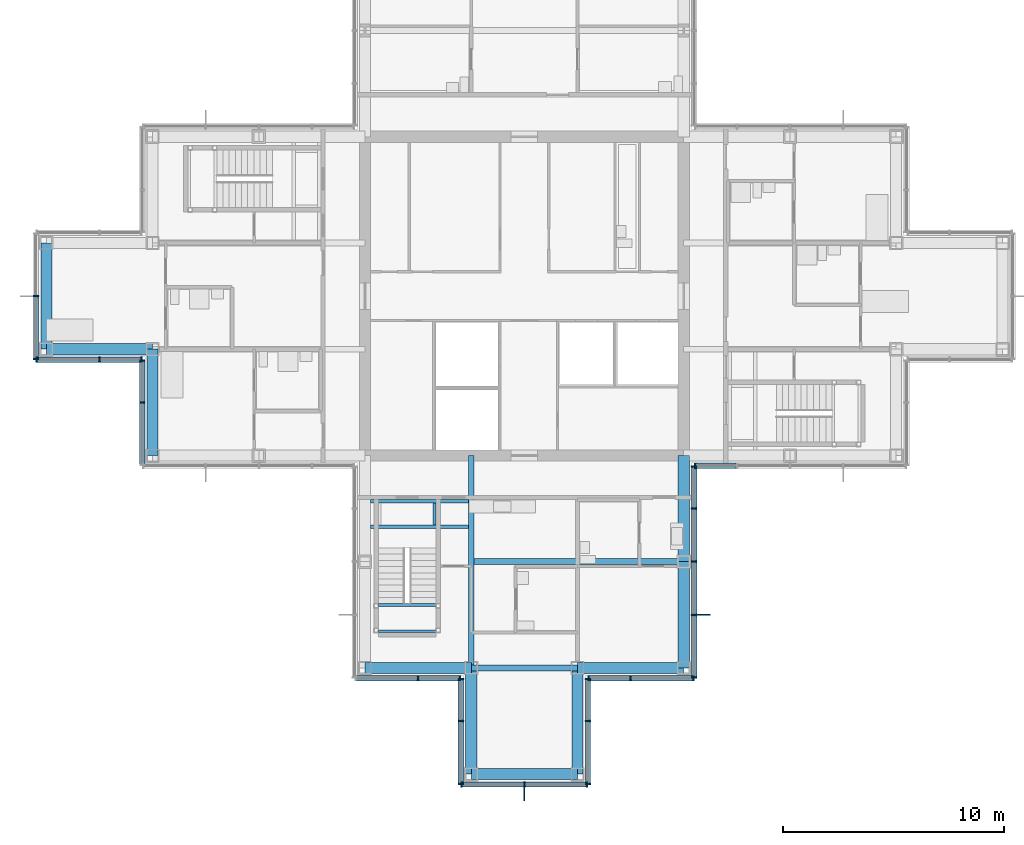
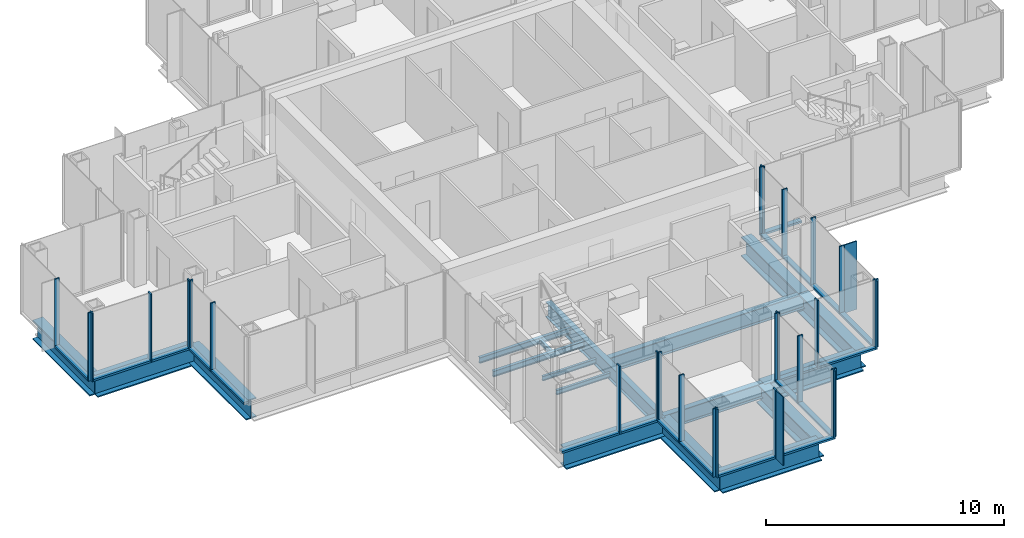
# One storey, part 6 of 17: 49 members, 18 beams, 10 elements without a shape of their own.
"""IFC4 building model written with IfcOpenShell, lengths in metres."""

from ifc_helpers import new_model, si_unit, direction, frame, origin, origin_2d, place, context, subcontext, project, spatial, rectangle, i_section, extrude, material, material_profile, profile_set, type_object, element, aggregate, save


model = new_model("IFC4")

# Units and contexts
model_context = context("Model", 3, precision=1e-05, world=origin(), true_north=direction((0.0, 1.0)))
body_context = subcontext(model_context, "Body", "Model", "MODEL_VIEW")
ifc_project = project(units=[si_unit("LENGTHUNIT", "METRE"), si_unit("AREAUNIT", "SQUARE_METRE"), si_unit("VOLUMEUNIT", "CUBIC_METRE"), si_unit("PLANEANGLEUNIT", "RADIAN"), si_unit("MASSUNIT", "GRAM", prefix="KILO")], contexts=[model_context])

# Site, building, storey
site_placement = place(None, origin())
site = spatial("IfcSite", under=ifc_project, at=site_placement, CompositionType="ELEMENT")
building_placement = place(site_placement, origin())
building = spatial("IfcBuilding", under=site, at=building_placement, Name="Kvirike Care Tower", CompositionType="ELEMENT")
storey_placement = place(building_placement, frame((0.0, 0.0, 155.0)))
storey = spatial("IfcBuildingStorey", under=building, at=storey_placement, Name="L42", CompositionType="ELEMENT", Elevation=155.0)

# Curtain wall, member
ifc_material_1 = material(Name="Anodised aluminium stick system", Category="aluminium")
curtain_wall_type = type_object("IfcCurtainWallType", Name="CW-C STICK CURTAIN WALL", PredefinedType="NOTDEFINED", material=ifc_material_1)
curtain_wall_1_placement = place(storey_placement, origin())
curtain_wall_1 = element("IfcCurtainWall", 1, at=curtain_wall_1_placement, inside=storey, type_object=curtain_wall_type, Name="Curtain wall L42 face 25", PredefinedType="NOTDEFINED")
ifc_material_2 = material(Name="Bronze anodised aluminium fin", Category="aluminium")
ifc_material_profile_1 = material_profile(ifc_material_2, rectangle(XDim=0.050048828125, YDim=0.60009765625, at=origin_2d()), Name="BRONZE FIN 600")
ifc_profile_set_1 = profile_set([ifc_material_profile_1], Name="Bronze anodised aluminium fin")
member_type_1 = type_object("IfcMemberType", Name="BRONZE FIN 600", PredefinedType="USERDEFINED", material=ifc_profile_set_1)
member_1_placement = place(storey_placement, frame((21.60009765625, 13.510009765625, 0.0), z_axis=(0.0, 0.0, 1.0), x_axis=(1.0, 0.0, 0.0)))
member_1 = element("IfcMember", 2, at=member_1_placement, type_object=member_type_1, Name="Bronze fin L42 face 25.2", ObjectType="FIN", PredefinedType="USERDEFINED", context=body_context, shape_type="SweptSolid", body=[
    extrude(rectangle(XDim=0.050048828125, YDim=0.60009765625, at=origin_2d()), origin(), (0.0, 0.0, 1.0), 3.5),
])

curtain_wall_2_placement = place(storey_placement, origin())
curtain_wall_2 = element("IfcCurtainWall", 3, at=curtain_wall_2_placement, inside=storey, type_object=curtain_wall_type, Name="Curtain wall L42 face 28", PredefinedType="NOTDEFINED")
member_2_placement = place(storey_placement, frame((29.68994140625, 21.60009765625, 0.0), z_axis=(0.0, 0.0, 1.0), x_axis=(0.0, 1.0, 0.0)))
member_2 = element("IfcMember", 4, at=member_2_placement, type_object=member_type_1, Name="Bronze fin L42 face 28.2", ObjectType="FIN", PredefinedType="USERDEFINED", context=body_context, shape_type="SweptSolid", body=[
    extrude(rectangle(XDim=0.050048828125, YDim=0.60009765625, at=origin_2d()), origin(), (0.0, 0.0, 1.0), 3.5),
])

curtain_wall_3_placement = place(storey_placement, origin())
curtain_wall_3 = element("IfcCurtainWall", 5, at=curtain_wall_3_placement, inside=storey, type_object=curtain_wall_type, Name="Curtain wall L42 face 1", PredefinedType="NOTDEFINED")
ifc_material_3 = material(Name="Bronze anodised aluminium mullion", Category="aluminium")
ifc_material_profile_2 = material_profile(ifc_material_3, rectangle(XDim=0.06494140625, YDim=0.239990234375, at=origin_2d()), Name="CW-C MULLION 65x240")
ifc_profile_set_2 = profile_set([ifc_material_profile_2], Name="Bronze anodised aluminium mullion")
member_type_2 = type_object("IfcMemberType", Name="CW-C MULLION 65x240", PredefinedType="MULLION", material=ifc_profile_set_2)
member_3_placement = place(storey_placement, frame((29.302490234375, 28.330078125, 0.0), z_axis=(0.0, 0.0, 1.0), x_axis=(1.0, 0.0, 0.0)))
member_3 = element("IfcMember", 6, at=member_3_placement, type_object=member_type_2, Name="CW-C mullion L42 face 1.1", PredefinedType="MULLION", context=body_context, shape_type="SweptSolid", body=[
    extrude(rectangle(XDim=0.06494140625, YDim=0.239990234375, at=origin_2d()), origin(), (0.0, 0.0, 1.0), 3.5),
])

# Curtain wall, members
curtain_wall_4_placement = place(storey_placement, origin())
curtain_wall_4 = element("IfcCurtainWall", 7, at=curtain_wall_4_placement, inside=storey, type_object=curtain_wall_type, Name="Curtain wall L42 face 18", PredefinedType="NOTDEFINED")
member_4_placement = place(storey_placement, frame((-0.469970703125, 36.0, 0.0), z_axis=(0.0, 0.0, 1.0), x_axis=(0.0, -1.0, 0.0)))
member_4 = element("IfcMember", 8, at=member_4_placement, type_object=member_type_2, Name="CW-C mullion L42 face 18.2", PredefinedType="MULLION", context=body_context, shape_type="SweptSolid", body=[
    extrude(rectangle(XDim=0.06494140625, YDim=0.239990234375, at=origin_2d()), origin(), (0.0, 0.0, 1.0), 3.5),
])
member_5_placement = place(storey_placement, frame((-0.469970703125, 33.16259765625, 0.0), z_axis=(0.0, 0.0, 1.0), x_axis=(0.0, -1.0, 0.0)))
member_5 = element("IfcMember", 9, at=member_5_placement, type_object=member_type_2, Name="CW-C mullion L42 face 18.3", PredefinedType="MULLION", context=body_context, shape_type="SweptSolid", body=[
    extrude(rectangle(XDim=0.06494140625, YDim=0.239990234375, at=origin_2d()), origin(), (0.0, 0.0, 1.0), 3.5),
])

curtain_wall_5_placement = place(storey_placement, origin())
curtain_wall_5 = element("IfcCurtainWall", 10, at=curtain_wall_5_placement, inside=storey, type_object=curtain_wall_type, Name="Curtain wall L42 face 19", PredefinedType="NOTDEFINED")
member_6_placement = place(storey_placement, frame((-0.4375, 33.1298828125, 0.0), z_axis=(0.0, 0.0, 1.0), x_axis=(1.0, 0.0, 0.0)))
member_6 = element("IfcMember", 11, at=member_6_placement, type_object=member_type_2, Name="CW-C mullion L42 face 19.1", PredefinedType="MULLION", context=body_context, shape_type="SweptSolid", body=[
    extrude(rectangle(XDim=0.06494140625, YDim=0.239990234375, at=origin_2d()), origin(), (0.0, 0.0, 1.0), 3.5),
])
member_7_placement = place(storey_placement, frame((2.39990234375, 33.1298828125, 0.0), z_axis=(0.0, 0.0, 1.0), x_axis=(1.0, 0.0, 0.0)))
member_7 = element("IfcMember", 12, at=member_7_placement, type_object=member_type_2, Name="CW-C mullion L42 face 19.2", PredefinedType="MULLION", context=body_context, shape_type="SweptSolid", body=[
    extrude(rectangle(XDim=0.06494140625, YDim=0.239990234375, at=origin_2d()), origin(), (0.0, 0.0, 1.0), 3.5),
])
member_8_placement = place(storey_placement, frame((4.297607421875, 33.1298828125, 0.0), z_axis=(0.0, 0.0, 1.0), x_axis=(1.0, 0.0, 0.0)))
member_8 = element("IfcMember", 13, at=member_8_placement, type_object=member_type_2, Name="CW-C mullion L42 face 19.3", PredefinedType="MULLION", context=body_context, shape_type="SweptSolid", body=[
    extrude(rectangle(XDim=0.06494140625, YDim=0.239990234375, at=origin_2d()), origin(), (0.0, 0.0, 1.0), 3.5),
])

curtain_wall_6_placement = place(storey_placement, origin())
curtain_wall_6 = element("IfcCurtainWall", 14, at=curtain_wall_6_placement, inside=storey, type_object=curtain_wall_type, Name="Curtain wall L42 face 20", PredefinedType="NOTDEFINED")
member_9_placement = place(storey_placement, frame((4.330078125, 33.097412109375, 0.0), z_axis=(0.0, 0.0, 1.0), x_axis=(0.0, -1.0, 0.0)))
member_9 = element("IfcMember", 15, at=member_9_placement, type_object=member_type_2, Name="CW-C mullion L42 face 20.1", PredefinedType="MULLION", context=body_context, shape_type="SweptSolid", body=[
    extrude(rectangle(XDim=0.06494140625, YDim=0.239990234375, at=origin_2d()), origin(), (0.0, 0.0, 1.0), 3.5),
])
member_10_placement = place(storey_placement, frame((4.330078125, 31.199951171875, 0.0), z_axis=(0.0, 0.0, 1.0), x_axis=(0.0, -1.0, 0.0)))
member_10 = element("IfcMember", 16, at=member_10_placement, type_object=member_type_2, Name="CW-C mullion L42 face 20.2", PredefinedType="MULLION", context=body_context, shape_type="SweptSolid", body=[
    extrude(rectangle(XDim=0.06494140625, YDim=0.239990234375, at=origin_2d()), origin(), (0.0, 0.0, 1.0), 3.5),
])

curtain_wall_7_placement = place(storey_placement, origin())
curtain_wall_7 = element("IfcCurtainWall", 17, at=curtain_wall_7_placement, inside=storey, type_object=curtain_wall_type, Name="Curtain wall L42 face 23", PredefinedType="NOTDEFINED")
member_11_placement = place(storey_placement, frame((16.800048828125, 18.72998046875, 0.0), z_axis=(0.0, 0.0, 1.0), x_axis=(1.0, 0.0, 0.0)))
member_11 = element("IfcMember", 18, at=member_11_placement, type_object=member_type_2, Name="CW-C mullion L42 face 23.2", PredefinedType="MULLION", context=body_context, shape_type="SweptSolid", body=[
    extrude(rectangle(XDim=0.06494140625, YDim=0.239990234375, at=origin_2d()), origin(), (0.0, 0.0, 1.0), 3.5),
])
member_12_placement = place(storey_placement, frame((18.697509765625, 18.72998046875, 0.0), z_axis=(0.0, 0.0, 1.0), x_axis=(1.0, 0.0, 0.0)))
member_12 = element("IfcMember", 19, at=member_12_placement, type_object=member_type_2, Name="CW-C mullion L42 face 23.3", PredefinedType="MULLION", context=body_context, shape_type="SweptSolid", body=[
    extrude(rectangle(XDim=0.06494140625, YDim=0.239990234375, at=origin_2d()), origin(), (0.0, 0.0, 1.0), 3.5),
])

curtain_wall_8_placement = place(storey_placement, origin())
curtain_wall_8 = element("IfcCurtainWall", 20, at=curtain_wall_8_placement, inside=storey, type_object=curtain_wall_type, Name="Curtain wall L42 face 24", PredefinedType="NOTDEFINED")
member_13_placement = place(storey_placement, frame((18.72998046875, 18.697509765625, 0.0), z_axis=(0.0, 0.0, 1.0), x_axis=(0.0, -1.0, 0.0)))
member_13 = element("IfcMember", 21, at=member_13_placement, type_object=member_type_2, Name="CW-C mullion L42 face 24.1", PredefinedType="MULLION", context=body_context, shape_type="SweptSolid", body=[
    extrude(rectangle(XDim=0.06494140625, YDim=0.239990234375, at=origin_2d()), origin(), (0.0, 0.0, 1.0), 3.5),
])
member_14_placement = place(storey_placement, frame((18.72998046875, 16.800048828125, 0.0), z_axis=(0.0, 0.0, 1.0), x_axis=(0.0, -1.0, 0.0)))
member_14 = element("IfcMember", 22, at=member_14_placement, type_object=member_type_2, Name="CW-C mullion L42 face 24.2", PredefinedType="MULLION", context=body_context, shape_type="SweptSolid", body=[
    extrude(rectangle(XDim=0.06494140625, YDim=0.239990234375, at=origin_2d()), origin(), (0.0, 0.0, 1.0), 3.5),
])
member_15_placement = place(storey_placement, frame((18.72998046875, 13.96240234375, 0.0), z_axis=(0.0, 0.0, 1.0), x_axis=(0.0, -1.0, 0.0)))
member_15 = element("IfcMember", 23, at=member_15_placement, type_object=member_type_2, Name="CW-C mullion L42 face 24.3", PredefinedType="MULLION", context=body_context, shape_type="SweptSolid", body=[
    extrude(rectangle(XDim=0.06494140625, YDim=0.239990234375, at=origin_2d()), origin(), (0.0, 0.0, 1.0), 3.5),
])

# Member
member_16_placement = place(storey_placement, frame((18.762451171875, 13.929931640625, 0.0), z_axis=(0.0, 0.0, 1.0), x_axis=(1.0, 0.0, 0.0)))
member_16 = element("IfcMember", 24, at=member_16_placement, type_object=member_type_2, Name="CW-C mullion L42 face 25.1", PredefinedType="MULLION", context=body_context, shape_type="SweptSolid", body=[
    extrude(rectangle(XDim=0.06494140625, YDim=0.239990234375, at=origin_2d()), origin(), (0.0, 0.0, 1.0), 3.5),
])

member_17_placement = place(storey_placement, frame((21.60009765625, 13.929931640625, 0.0), z_axis=(0.0, 0.0, 1.0), x_axis=(1.0, 0.0, 0.0)))
member_17 = element("IfcMember", 25, at=member_17_placement, type_object=member_type_2, Name="CW-C mullion L42 face 25.2", PredefinedType="MULLION", context=body_context, shape_type="SweptSolid", body=[
    extrude(rectangle(XDim=0.06494140625, YDim=0.239990234375, at=origin_2d()), origin(), (0.0, 0.0, 1.0), 3.5),
])

member_18_placement = place(storey_placement, frame((24.4375, 13.929931640625, 0.0), z_axis=(0.0, 0.0, 1.0), x_axis=(1.0, 0.0, 0.0)))
member_18 = element("IfcMember", 26, at=member_18_placement, type_object=member_type_2, Name="CW-C mullion L42 face 25.3", PredefinedType="MULLION", context=body_context, shape_type="SweptSolid", body=[
    extrude(rectangle(XDim=0.06494140625, YDim=0.239990234375, at=origin_2d()), origin(), (0.0, 0.0, 1.0), 3.5),
])

# Curtain wall, members
curtain_wall_9_placement = place(storey_placement, origin())
curtain_wall_9 = element("IfcCurtainWall", 27, at=curtain_wall_9_placement, inside=storey, type_object=curtain_wall_type, Name="Curtain wall L42 face 26", PredefinedType="NOTDEFINED")
member_19_placement = place(storey_placement, frame((24.469970703125, 13.96240234375, 0.0), z_axis=(0.0, 0.0, 1.0), x_axis=(0.0, 1.0, 0.0)))
member_19 = element("IfcMember", 28, at=member_19_placement, type_object=member_type_2, Name="CW-C mullion L42 face 26.1", PredefinedType="MULLION", context=body_context, shape_type="SweptSolid", body=[
    extrude(rectangle(XDim=0.06494140625, YDim=0.239990234375, at=origin_2d()), origin(), (0.0, 0.0, 1.0), 3.5),
])
member_20_placement = place(storey_placement, frame((24.469970703125, 16.800048828125, 0.0), z_axis=(0.0, 0.0, 1.0), x_axis=(0.0, 1.0, 0.0)))
member_20 = element("IfcMember", 29, at=member_20_placement, type_object=member_type_2, Name="CW-C mullion L42 face 26.2", PredefinedType="MULLION", context=body_context, shape_type="SweptSolid", body=[
    extrude(rectangle(XDim=0.06494140625, YDim=0.239990234375, at=origin_2d()), origin(), (0.0, 0.0, 1.0), 3.5),
])
member_21_placement = place(storey_placement, frame((24.469970703125, 18.697509765625, 0.0), z_axis=(0.0, 0.0, 1.0), x_axis=(0.0, 1.0, 0.0)))
member_21 = element("IfcMember", 30, at=member_21_placement, type_object=member_type_2, Name="CW-C mullion L42 face 26.3", PredefinedType="MULLION", context=body_context, shape_type="SweptSolid", body=[
    extrude(rectangle(XDim=0.06494140625, YDim=0.239990234375, at=origin_2d()), origin(), (0.0, 0.0, 1.0), 3.5),
])

curtain_wall_10_placement = place(storey_placement, origin())
curtain_wall_10 = element("IfcCurtainWall", 31, at=curtain_wall_10_placement, inside=storey, type_object=curtain_wall_type, Name="Curtain wall L42 face 27", PredefinedType="NOTDEFINED")
member_22_placement = place(storey_placement, frame((24.50244140625, 18.72998046875, 0.0), z_axis=(0.0, 0.0, 1.0), x_axis=(1.0, 0.0, 0.0)))
member_22 = element("IfcMember", 32, at=member_22_placement, type_object=member_type_2, Name="CW-C mullion L42 face 27.1", PredefinedType="MULLION", context=body_context, shape_type="SweptSolid", body=[
    extrude(rectangle(XDim=0.06494140625, YDim=0.239990234375, at=origin_2d()), origin(), (0.0, 0.0, 1.0), 3.5),
])
member_23_placement = place(storey_placement, frame((26.39990234375, 18.72998046875, 0.0), z_axis=(0.0, 0.0, 1.0), x_axis=(1.0, 0.0, 0.0)))
member_23 = element("IfcMember", 33, at=member_23_placement, type_object=member_type_2, Name="CW-C mullion L42 face 27.2", PredefinedType="MULLION", context=body_context, shape_type="SweptSolid", body=[
    extrude(rectangle(XDim=0.06494140625, YDim=0.239990234375, at=origin_2d()), origin(), (0.0, 0.0, 1.0), 3.5),
])
member_24_placement = place(storey_placement, frame((29.237548828125, 18.72998046875, 0.0), z_axis=(0.0, 0.0, 1.0), x_axis=(1.0, 0.0, 0.0)))
member_24 = element("IfcMember", 34, at=member_24_placement, type_object=member_type_2, Name="CW-C mullion L42 face 27.3", PredefinedType="MULLION", context=body_context, shape_type="SweptSolid", body=[
    extrude(rectangle(XDim=0.06494140625, YDim=0.239990234375, at=origin_2d()), origin(), (0.0, 0.0, 1.0), 3.5),
])

# Member
member_25_placement = place(storey_placement, frame((29.27001953125, 18.762451171875, 0.0), z_axis=(0.0, 0.0, 1.0), x_axis=(0.0, 1.0, 0.0)))
member_25 = element("IfcMember", 35, at=member_25_placement, type_object=member_type_2, Name="CW-C mullion L42 face 28.1", PredefinedType="MULLION", context=body_context, shape_type="SweptSolid", body=[
    extrude(rectangle(XDim=0.06494140625, YDim=0.239990234375, at=origin_2d()), origin(), (0.0, 0.0, 1.0), 3.5),
])

member_26_placement = place(storey_placement, frame((29.27001953125, 21.60009765625, 0.0), z_axis=(0.0, 0.0, 1.0), x_axis=(0.0, 1.0, 0.0)))
member_26 = element("IfcMember", 36, at=member_26_placement, type_object=member_type_2, Name="CW-C mullion L42 face 28.2", PredefinedType="MULLION", context=body_context, shape_type="SweptSolid", body=[
    extrude(rectangle(XDim=0.06494140625, YDim=0.239990234375, at=origin_2d()), origin(), (0.0, 0.0, 1.0), 3.5),
])

member_27_placement = place(storey_placement, frame((29.27001953125, 24.0, 0.0), z_axis=(0.0, 0.0, 1.0), x_axis=(0.0, 1.0, 0.0)))
member_27 = element("IfcMember", 37, at=member_27_placement, type_object=member_type_2, Name="CW-C mullion L42 face 28.3", PredefinedType="MULLION", context=body_context, shape_type="SweptSolid", body=[
    extrude(rectangle(XDim=0.06494140625, YDim=0.239990234375, at=origin_2d()), origin(), (0.0, 0.0, 1.0), 3.5),
])

member_28_placement = place(storey_placement, frame((29.27001953125, 26.39990234375, 0.0), z_axis=(0.0, 0.0, 1.0), x_axis=(0.0, 1.0, 0.0)))
member_28 = element("IfcMember", 38, at=member_28_placement, type_object=member_type_2, Name="CW-C mullion L42 face 28.4", PredefinedType="MULLION", context=body_context, shape_type="SweptSolid", body=[
    extrude(rectangle(XDim=0.06494140625, YDim=0.239990234375, at=origin_2d()), origin(), (0.0, 0.0, 1.0), 3.5),
])

member_29_placement = place(storey_placement, frame((29.27001953125, 28.297607421875, 0.0), z_axis=(0.0, 0.0, 1.0), x_axis=(0.0, 1.0, 0.0)))
member_29 = element("IfcMember", 39, at=member_29_placement, type_object=member_type_2, Name="CW-C mullion L42 face 28.5", PredefinedType="MULLION", context=body_context, shape_type="SweptSolid", body=[
    extrude(rectangle(XDim=0.06494140625, YDim=0.239990234375, at=origin_2d()), origin(), (0.0, 0.0, 1.0), 3.5),
])

ifc_material_4 = material(Name="Bronze anodised aluminium transom", Category="aluminium")
ifc_material_profile_3 = material_profile(ifc_material_4, rectangle(XDim=0.239990234375, YDim=0.10009765625, at=origin_2d()), Name="CW-C TRANSOM 240x100")
ifc_profile_set_3 = profile_set([ifc_material_profile_3], Name="Bronze anodised aluminium transom")
member_type_3 = type_object("IfcMemberType", Name="CW-C TRANSOM 240x100", PredefinedType="USERDEFINED", material=ifc_profile_set_3)
member_30_placement = place(storey_placement, frame((29.3349609375, 28.330078125, 0.050048828125), z_axis=(1.0, 0.0, 0.0), x_axis=(0.0, 1.0, 0.0)))
member_30 = element("IfcMember", 40, at=member_30_placement, type_object=member_type_3, Name="CW-C sill transom L42 face 1.1", ObjectType="TRANSOM", PredefinedType="USERDEFINED", context=body_context, shape_type="SweptSolid", body=[
    extrude(rectangle(XDim=0.239990234375, YDim=0.10009765625, at=origin_2d()), origin(), (0.0, 0.0, 1.0), 1.83251953125),
])

aggregate(curtain_wall_3, [member_3, member_30])

member_31_placement = place(storey_placement, frame((-0.469970703125, 35.967529296875, 0.050048828125), z_axis=(0.0, -1.0, 0.0), x_axis=(1.0, 0.0, 0.0)))
member_31 = element("IfcMember", 41, at=member_31_placement, type_object=member_type_3, Name="CW-C sill transom L42 face 18.2", ObjectType="TRANSOM", PredefinedType="USERDEFINED", context=body_context, shape_type="SweptSolid", body=[
    extrude(rectangle(XDim=0.239990234375, YDim=0.10009765625, at=origin_2d()), origin(), (0.0, 0.0, 1.0), 2.7724609375),
])

aggregate(curtain_wall_4, [member_4, member_5, member_31])

member_32_placement = place(storey_placement, frame((-0.405029296875, 33.1298828125, 0.050048828125), z_axis=(1.0, 0.0, 0.0), x_axis=(0.0, 1.0, 0.0)))
member_32 = element("IfcMember", 42, at=member_32_placement, type_object=member_type_3, Name="CW-C sill transom L42 face 19.1", ObjectType="TRANSOM", PredefinedType="USERDEFINED", context=body_context, shape_type="SweptSolid", body=[
    extrude(rectangle(XDim=0.239990234375, YDim=0.10009765625, at=origin_2d()), origin(), (0.0, 0.0, 1.0), 2.7724609375),
])

member_33_placement = place(storey_placement, frame((2.4326171875, 33.1298828125, 0.050048828125), z_axis=(1.0, 0.0, 0.0), x_axis=(0.0, 1.0, 0.0)))
member_33 = element("IfcMember", 43, at=member_33_placement, type_object=member_type_3, Name="CW-C sill transom L42 face 19.2", ObjectType="TRANSOM", PredefinedType="USERDEFINED", context=body_context, shape_type="SweptSolid", body=[
    extrude(rectangle(XDim=0.239990234375, YDim=0.10009765625, at=origin_2d()), origin(), (0.0, 0.0, 1.0), 1.832275390625),
])

aggregate(curtain_wall_5, [member_6, member_7, member_8, member_32, member_33])

member_34_placement = place(storey_placement, frame((4.330078125, 33.06494140625, 0.050048828125), z_axis=(0.0, -1.0, 0.0), x_axis=(1.0, 0.0, 0.0)))
member_34 = element("IfcMember", 44, at=member_34_placement, type_object=member_type_3, Name="CW-C sill transom L42 face 20.1", ObjectType="TRANSOM", PredefinedType="USERDEFINED", context=body_context, shape_type="SweptSolid", body=[
    extrude(rectangle(XDim=0.239990234375, YDim=0.10009765625, at=origin_2d()), origin(), (0.0, 0.0, 1.0), 1.83251953125),
])

member_35_placement = place(storey_placement, frame((4.330078125, 31.16748046875, 0.050048828125), z_axis=(0.0, -1.0, 0.0), x_axis=(1.0, 0.0, 0.0)))
member_35 = element("IfcMember", 45, at=member_35_placement, type_object=member_type_3, Name="CW-C sill transom L42 face 20.2", ObjectType="TRANSOM", PredefinedType="USERDEFINED", context=body_context, shape_type="SweptSolid", body=[
    extrude(rectangle(XDim=0.239990234375, YDim=0.10009765625, at=origin_2d()), origin(), (0.0, 0.0, 1.0), 2.7724609375),
])

aggregate(curtain_wall_6, [member_9, member_10, member_34, member_35])

member_36_placement = place(storey_placement, frame((13.9951171875, 18.72998046875, 0.050048828125), z_axis=(1.0, 0.0, 0.0), x_axis=(0.0, 1.0, 0.0)))
member_36 = element("IfcMember", 46, at=member_36_placement, type_object=member_type_3, Name="CW-C sill transom L42 face 23.1", ObjectType="TRANSOM", PredefinedType="USERDEFINED", context=body_context, shape_type="SweptSolid", body=[
    extrude(rectangle(XDim=0.239990234375, YDim=0.10009765625, at=origin_2d()), origin(), (0.0, 0.0, 1.0), 2.7724609375),
])

member_37_placement = place(storey_placement, frame((16.83251953125, 18.72998046875, 0.050048828125), z_axis=(1.0, 0.0, 0.0), x_axis=(0.0, 1.0, 0.0)))
member_37 = element("IfcMember", 47, at=member_37_placement, type_object=member_type_3, Name="CW-C sill transom L42 face 23.2", ObjectType="TRANSOM", PredefinedType="USERDEFINED", context=body_context, shape_type="SweptSolid", body=[
    extrude(rectangle(XDim=0.239990234375, YDim=0.10009765625, at=origin_2d()), origin(), (0.0, 0.0, 1.0), 1.83251953125),
])

aggregate(curtain_wall_7, [member_11, member_12, member_36, member_37])

member_38_placement = place(storey_placement, frame((18.72998046875, 18.6650390625, 0.050048828125), z_axis=(0.0, -1.0, 0.0), x_axis=(1.0, 0.0, 0.0)))
member_38 = element("IfcMember", 48, at=member_38_placement, type_object=member_type_3, Name="CW-C sill transom L42 face 24.1", ObjectType="TRANSOM", PredefinedType="USERDEFINED", context=body_context, shape_type="SweptSolid", body=[
    extrude(rectangle(XDim=0.239990234375, YDim=0.10009765625, at=origin_2d()), origin(), (0.0, 0.0, 1.0), 1.83251953125),
])

member_39_placement = place(storey_placement, frame((18.72998046875, 16.767578125, 0.050048828125), z_axis=(0.0, -1.0, 0.0), x_axis=(1.0, 0.0, 0.0)))
member_39 = element("IfcMember", 49, at=member_39_placement, type_object=member_type_3, Name="CW-C sill transom L42 face 24.2", ObjectType="TRANSOM", PredefinedType="USERDEFINED", context=body_context, shape_type="SweptSolid", body=[
    extrude(rectangle(XDim=0.239990234375, YDim=0.10009765625, at=origin_2d()), origin(), (0.0, 0.0, 1.0), 2.7724609375),
])

aggregate(curtain_wall_8, [member_13, member_14, member_15, member_38, member_39])

member_40_placement = place(storey_placement, frame((18.794921875, 13.929931640625, 0.050048828125), z_axis=(1.0, 0.0, 0.0), x_axis=(0.0, 1.0, 0.0)))
member_40 = element("IfcMember", 50, at=member_40_placement, type_object=member_type_3, Name="CW-C sill transom L42 face 25.1", ObjectType="TRANSOM", PredefinedType="USERDEFINED", context=body_context, shape_type="SweptSolid", body=[
    extrude(rectangle(XDim=0.239990234375, YDim=0.10009765625, at=origin_2d()), origin(), (0.0, 0.0, 1.0), 2.7724609375),
])

member_41_placement = place(storey_placement, frame((21.632568359375, 13.929931640625, 0.050048828125), z_axis=(1.0, 0.0, 0.0), x_axis=(0.0, 1.0, 0.0)))
member_41 = element("IfcMember", 51, at=member_41_placement, type_object=member_type_3, Name="CW-C sill transom L42 face 25.2", ObjectType="TRANSOM", PredefinedType="USERDEFINED", context=body_context, shape_type="SweptSolid", body=[
    extrude(rectangle(XDim=0.239990234375, YDim=0.10009765625, at=origin_2d()), origin(), (0.0, 0.0, 1.0), 2.7724609375),
])

aggregate(curtain_wall_1, [member_16, member_17, member_1, member_18, member_40, member_41])

member_42_placement = place(storey_placement, frame((24.469970703125, 13.9951171875, 0.050048828125), z_axis=(0.0, 1.0, 0.0), x_axis=(-1.0, 0.0, 0.0)))
member_42 = element("IfcMember", 52, at=member_42_placement, type_object=member_type_3, Name="CW-C sill transom L42 face 26.1", ObjectType="TRANSOM", PredefinedType="USERDEFINED", context=body_context, shape_type="SweptSolid", body=[
    extrude(rectangle(XDim=0.239990234375, YDim=0.10009765625, at=origin_2d()), origin(), (0.0, 0.0, 1.0), 2.7724609375),
])

member_43_placement = place(storey_placement, frame((24.469970703125, 16.83251953125, 0.050048828125), z_axis=(0.0, 1.0, 0.0), x_axis=(-1.0, 0.0, 0.0)))
member_43 = element("IfcMember", 53, at=member_43_placement, type_object=member_type_3, Name="CW-C sill transom L42 face 26.2", ObjectType="TRANSOM", PredefinedType="USERDEFINED", context=body_context, shape_type="SweptSolid", body=[
    extrude(rectangle(XDim=0.239990234375, YDim=0.10009765625, at=origin_2d()), origin(), (0.0, 0.0, 1.0), 1.83251953125),
])

aggregate(curtain_wall_9, [member_19, member_20, member_21, member_42, member_43])

member_44_placement = place(storey_placement, frame((24.534912109375, 18.72998046875, 0.050048828125), z_axis=(1.0, 0.0, 0.0), x_axis=(0.0, 1.0, 0.0)))
member_44 = element("IfcMember", 54, at=member_44_placement, type_object=member_type_3, Name="CW-C sill transom L42 face 27.1", ObjectType="TRANSOM", PredefinedType="USERDEFINED", context=body_context, shape_type="SweptSolid", body=[
    extrude(rectangle(XDim=0.239990234375, YDim=0.10009765625, at=origin_2d()), origin(), (0.0, 0.0, 1.0), 1.83251953125),
])

member_45_placement = place(storey_placement, frame((26.4326171875, 18.72998046875, 0.050048828125), z_axis=(1.0, 0.0, 0.0), x_axis=(0.0, 1.0, 0.0)))
member_45 = element("IfcMember", 55, at=member_45_placement, type_object=member_type_3, Name="CW-C sill transom L42 face 27.2", ObjectType="TRANSOM", PredefinedType="USERDEFINED", context=body_context, shape_type="SweptSolid", body=[
    extrude(rectangle(XDim=0.239990234375, YDim=0.10009765625, at=origin_2d()), origin(), (0.0, 0.0, 1.0), 2.7724609375),
])

aggregate(curtain_wall_10, [member_22, member_23, member_24, member_44, member_45])

member_46_placement = place(storey_placement, frame((29.27001953125, 18.794921875, 0.050048828125), z_axis=(0.0, 1.0, 0.0), x_axis=(-1.0, 0.0, 0.0)))
member_46 = element("IfcMember", 56, at=member_46_placement, type_object=member_type_3, Name="CW-C sill transom L42 face 28.1", ObjectType="TRANSOM", PredefinedType="USERDEFINED", context=body_context, shape_type="SweptSolid", body=[
    extrude(rectangle(XDim=0.239990234375, YDim=0.10009765625, at=origin_2d()), origin(), (0.0, 0.0, 1.0), 2.7724609375),
])

member_47_placement = place(storey_placement, frame((29.27001953125, 21.632568359375, 0.050048828125), z_axis=(0.0, 1.0, 0.0), x_axis=(-1.0, 0.0, 0.0)))
member_47 = element("IfcMember", 57, at=member_47_placement, type_object=member_type_3, Name="CW-C sill transom L42 face 28.2", ObjectType="TRANSOM", PredefinedType="USERDEFINED", context=body_context, shape_type="SweptSolid", body=[
    extrude(rectangle(XDim=0.239990234375, YDim=0.10009765625, at=origin_2d()), origin(), (0.0, 0.0, 1.0), 2.3349609375),
])

member_48_placement = place(storey_placement, frame((29.27001953125, 24.032470703125, 0.050048828125), z_axis=(0.0, 1.0, 0.0), x_axis=(-1.0, 0.0, 0.0)))
member_48 = element("IfcMember", 58, at=member_48_placement, type_object=member_type_3, Name="CW-C sill transom L42 face 28.3", ObjectType="TRANSOM", PredefinedType="USERDEFINED", context=body_context, shape_type="SweptSolid", body=[
    extrude(rectangle(XDim=0.239990234375, YDim=0.10009765625, at=origin_2d()), origin(), (0.0, 0.0, 1.0), 2.3349609375),
])

member_49_placement = place(storey_placement, frame((29.27001953125, 26.4326171875, 0.050048828125), z_axis=(0.0, 1.0, 0.0), x_axis=(-1.0, 0.0, 0.0)))
member_49 = element("IfcMember", 59, at=member_49_placement, type_object=member_type_3, Name="CW-C sill transom L42 face 28.4", ObjectType="TRANSOM", PredefinedType="USERDEFINED", context=body_context, shape_type="SweptSolid", body=[
    extrude(rectangle(XDim=0.239990234375, YDim=0.10009765625, at=origin_2d()), origin(), (0.0, 0.0, 1.0), 1.832275390625),
])

aggregate(curtain_wall_2, [member_25, member_26, member_2, member_27, member_28, member_29, member_46, member_47, member_48, member_49])

# Beams
ifc_material_5 = material(Name="Steel S355", Category="steel")
ifc_material_profile_4 = material_profile(ifc_material_5, i_section(OverallWidth=0.26806640625, OverallDepth=0.77001953125, WebThickness=0.015625, FlangeThickness=0.025390625, FilletRadius=0.01708984375, at=origin_2d()), Name="IPE 750x196")
ifc_profile_set_4 = profile_set([ifc_material_profile_4], Name="Steel S355")
beam_type_1 = type_object("IfcBeamType", Name="FLOOR BEAM IPE 750x196", PredefinedType="BEAM", material=ifc_profile_set_4)
beam_1_placement = place(storey_placement, frame((19.199951171875, 19.199951171875, -0.554931640625), z_axis=(1.0, 0.0, 0.0), x_axis=(0.0, 1.0, 0.0)))
element("IfcBeam", 60, at=beam_1_placement, inside=storey, type_object=beam_type_1, Name="Floor Beam E7-E8 L42", PredefinedType="BEAM", context=body_context, shape_type="SweptSolid", body=[
    extrude(i_section(OverallWidth=0.26806640625, OverallDepth=0.77001953125, WebThickness=0.015625, FlangeThickness=0.025390625, FilletRadius=0.01708984375, at=origin_2d()), origin(), (0.0, 0.0, 1.0), 4.800048828125),
])
for number, where, z_axis, x_axis, name in (
    (61, (19.199951171875, 24.0, -0.554931640625), (1.0, 0.0, 0.0), (0.0, 1.0, 0.0), "Floor Beam F7-F9 L42"),
    (62, (19.199951171875, 19.199951171875, -0.554931640625), (0.0, 1.0, 0.0), (-1.0, 0.0, 0.0), "Floor Beam E7-G7 L42"),
):
    element("IfcBeam", number, at=place(storey_placement, frame(where, z_axis=z_axis, x_axis=x_axis)), inside=storey, type_object=beam_type_1, Name=name, PredefinedType="BEAM", context=body_context, shape_type="SweptSolid", body=[
        extrude(i_section(OverallWidth=0.26806640625, OverallDepth=0.77001953125, WebThickness=0.015625, FlangeThickness=0.025390625, FilletRadius=0.01708984375, at=origin_2d()), origin(), (0.0, 0.0, 1.0), 9.60009765625),
    ])
ifc_material_6 = material(Name="Steel S355", Category="steel")
ifc_material_profile_5 = material_profile(ifc_material_6, i_section(OverallWidth=0.5, OverallDepth=1.0, WebThickness=0.030029296875, FlangeThickness=0.06005859375, at=origin_2d()), Name="PG 1000x500x30x60")
ifc_profile_set_5 = profile_set([ifc_material_profile_5], Name="Steel S355")
beam_type_2 = type_object("IfcBeamType", Name="SPANDREL PG 1000x500x30x60", PredefinedType="SPANDREL", material=ifc_profile_set_5)
for number, where, z_axis, x_axis, name in (
    (63, (19.199951171875, 14.39990234375, -0.669921875), (1.0, 0.0, 0.0), (0.0, 1.0, 0.0), "Spandrel D7-D8 L42"),
    (64, (14.39990234375, 19.199951171875, -0.669921875), (1.0, 0.0, 0.0), (0.0, 1.0, 0.0), "Spandrel E6-E7 L42"),
    (65, (24.0, 19.199951171875, -0.669921875), (1.0, 0.0, 0.0), (0.0, 1.0, 0.0), "Spandrel E8-E9 L42"),
    (66, (0.0, 33.60009765625, -0.669921875), (1.0, 0.0, 0.0), (0.0, 1.0, 0.0), "Spandrel H3-H4 L42"),
):
    element("IfcBeam", number, at=place(storey_placement, frame(where, z_axis=z_axis, x_axis=x_axis)), inside=storey, type_object=beam_type_2, Name=name, PredefinedType="SPANDREL", context=body_context, shape_type="SweptSolid", body=[
        extrude(i_section(OverallWidth=0.5, OverallDepth=1.0, WebThickness=0.030029296875, FlangeThickness=0.06005859375, at=origin_2d()), origin(), (0.0, 0.0, 1.0), 4.800048828125),
    ])
beam_2_placement = place(storey_placement, frame((0.0, 33.60009765625, -0.669921875), z_axis=(0.0, 1.0, 0.0), x_axis=(-1.0, 0.0, 0.0)))
element("IfcBeam", 67, at=beam_2_placement, inside=storey, type_object=beam_type_2, Name="Spandrel H3-J3 L42", PredefinedType="SPANDREL", context=body_context, shape_type="SweptSolid", body=[
    extrude(i_section(OverallWidth=0.5, OverallDepth=1.0, WebThickness=0.030029296875, FlangeThickness=0.06005859375, at=origin_2d()), origin(), (0.0, 0.0, 1.0), 4.7998046875),
])
for number, where, z_axis, x_axis, name in (
    (68, (4.800048828125, 28.800048828125, -0.669921875), (0.0, 1.0, 0.0), (-1.0, 0.0, 0.0), "Spandrel G4-H4 L42"),
    (69, (19.199951171875, 14.39990234375, -0.669921875), (0.0, 1.0, 0.0), (-1.0, 0.0, 0.0), "Spandrel D7-E7 L42"),
    (70, (24.0, 14.39990234375, -0.669921875), (0.0, 1.0, 0.0), (-1.0, 0.0, 0.0), "Spandrel D8-E8 L42"),
    (71, (28.800048828125, 19.199951171875, -0.669921875), (0.0, 1.0, 0.0), (-1.0, 0.0, 0.0), "Spandrel E9-F9 L42"),
    (72, (28.800048828125, 24.0, -0.669921875), (0.0, 1.0, 0.0), (-1.0, 0.0, 0.0), "Spandrel F9-G9 L42"),
):
    element("IfcBeam", number, at=place(storey_placement, frame(where, z_axis=z_axis, x_axis=x_axis)), inside=storey, type_object=beam_type_2, Name=name, PredefinedType="SPANDREL", context=body_context, shape_type="SweptSolid", body=[
        extrude(i_section(OverallWidth=0.5, OverallDepth=1.0, WebThickness=0.030029296875, FlangeThickness=0.06005859375, at=origin_2d()), origin(), (0.0, 0.0, 1.0), 4.800048828125),
    ])
ifc_material_7 = material(Name="Steel S355", Category="steel")
ifc_material_profile_6 = material_profile(ifc_material_7, i_section(OverallWidth=0.1201171875, OverallDepth=0.239990234375, WebThickness=0.006103515625, FlangeThickness=0.009765625, FilletRadius=0.014892578125, at=origin_2d()), Name="IPE 240")
ifc_profile_set_6 = profile_set([ifc_material_profile_6], Name="Steel S355")
beam_type_3 = type_object("IfcBeamType", Name="STAIR LANDING BEAM IPE 240", PredefinedType="BEAM", material=ifc_profile_set_6)
for number, where, z_axis, x_axis, name in (
    (73, (15.0, 20.860107421875, 1.429931640625), (1.0, 0.0, 0.0), (0.0, 1.0, 0.0), "Stair 5 landing beam back L42"),
    (74, (15.0, 22.0400390625, 1.429931640625), (1.0, 0.0, 0.0), (0.0, 1.0, 0.0), "Stair 5 landing beam front L42"),
):
    element("IfcBeam", number, at=place(storey_placement, frame(where, z_axis=z_axis, x_axis=x_axis)), inside=storey, type_object=beam_type_3, Name=name, PredefinedType="BEAM", context=body_context, shape_type="SweptSolid", body=[
        extrude(i_section(OverallWidth=0.1201171875, OverallDepth=0.239990234375, WebThickness=0.006103515625, FlangeThickness=0.009765625, FilletRadius=0.014892578125, at=origin_2d()), origin(), (0.0, 0.0, 1.0), 2.60009765625),
    ])
beam_3_placement = place(storey_placement, frame((17.5400390625, 25.64990234375, -0.320068359375), z_axis=(0.0, 1.0, 0.0), x_axis=(-1.0, 0.0, 0.0)))
element("IfcBeam", 75, at=beam_3_placement, inside=storey, type_object=beam_type_3, Name="Stair 5 landing edge beam 2 L42", PredefinedType="BEAM", context=body_context, shape_type="SweptSolid", body=[
    extrude(i_section(OverallWidth=0.1201171875, OverallDepth=0.239990234375, WebThickness=0.006103515625, FlangeThickness=0.009765625, FilletRadius=0.014892578125, at=origin_2d()), origin(), (0.0, 0.0, 1.0), 1.0),
])
ifc_material_8 = material(Name="Steel S355", Category="steel")
ifc_material_profile_7 = material_profile(ifc_material_8, i_section(OverallWidth=0.14990234375, OverallDepth=0.300048828125, WebThickness=0.007080078125, FlangeThickness=0.0107421875, FilletRadius=0.014892578125, at=origin_2d()), Name="IPE 300")
ifc_profile_set_7 = profile_set([ifc_material_profile_7], Name="Steel S355")
beam_type_4 = type_object("IfcBeamType", Name="STAIR TRIMMER IPE 300", PredefinedType="BEAM", material=ifc_profile_set_7)
for number, where, z_axis, x_axis, name in (
    (76, (14.64990234375, 25.574951171875, -0.35009765625), (1.0, 0.0, 0.0), (0.0, 1.0, 0.0), "Stair 5 trimmer 1 L42"),
    (77, (14.64990234375, 26.72509765625, -0.35009765625), (1.0, 0.0, 0.0), (0.0, 1.0, 0.0), "Stair 5 trimmer 2 L42"),
):
    element("IfcBeam", number, at=place(storey_placement, frame(where, z_axis=z_axis, x_axis=x_axis)), inside=storey, type_object=beam_type_4, Name=name, PredefinedType="BEAM", context=body_context, shape_type="SweptSolid", body=[
        extrude(i_section(OverallWidth=0.14990234375, OverallDepth=0.300048828125, WebThickness=0.007080078125, FlangeThickness=0.0107421875, FilletRadius=0.014892578125, at=origin_2d()), origin(), (0.0, 0.0, 1.0), 4.416015625),
    ])

save(model, "model.ifc")
